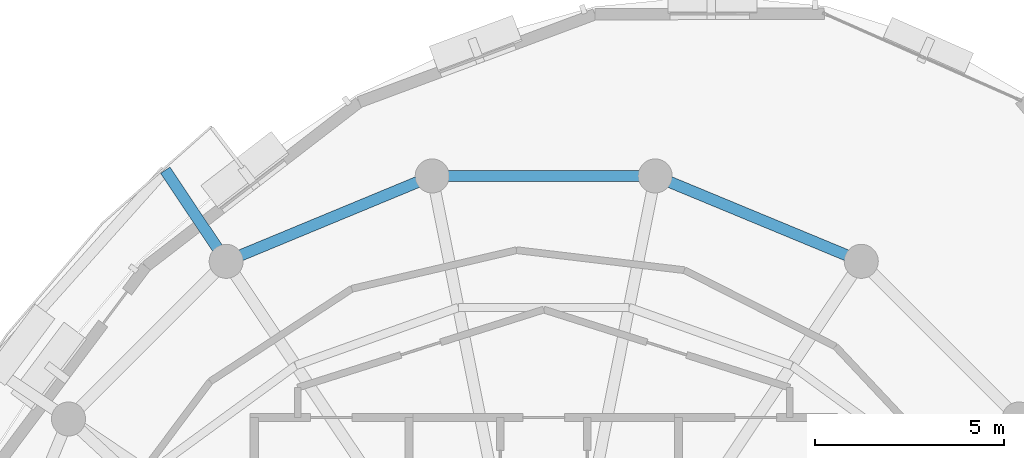
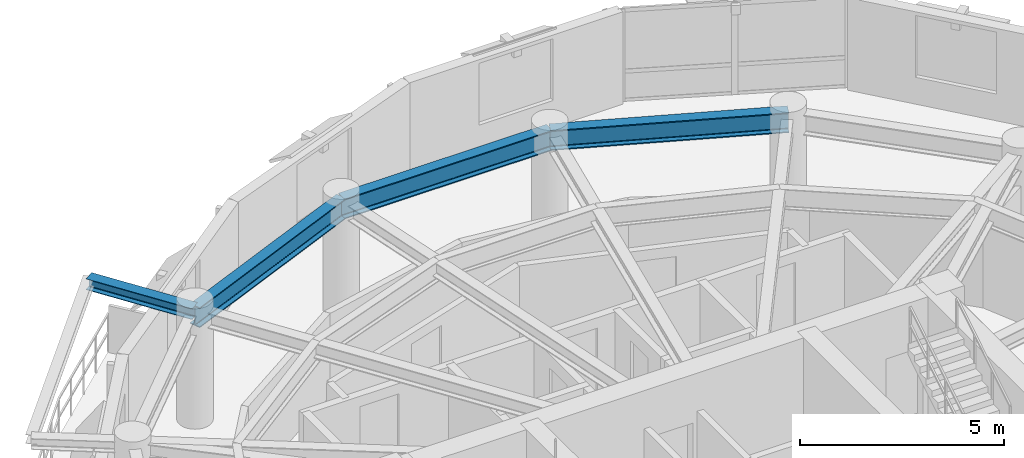
# One storey, part 4 of 11: 4 beams.
"""IFC4 building model written with IfcOpenShell, lengths in metres."""

from ifc_helpers import new_model, si_unit, direction, frame, origin, origin_2d, place, context, subcontext, project, spatial, i_section, extrude, material, material_profile, profile_set, type_object, element, save


model = new_model("IFC4")

# Units and contexts
model_context = context("Model", 3, precision=1e-05, world=origin(), true_north=direction((0.0, 1.0)))
body_context = subcontext(model_context, "Body", "Model", "MODEL_VIEW")
ifc_project = project(units=[si_unit("LENGTHUNIT", "METRE"), si_unit("AREAUNIT", "SQUARE_METRE"), si_unit("VOLUMEUNIT", "CUBIC_METRE"), si_unit("PLANEANGLEUNIT", "RADIAN"), si_unit("MASSUNIT", "GRAM", prefix="KILO"), si_unit("THERMODYNAMICTEMPERATUREUNIT", "KELVIN"), si_unit("POWERUNIT", "WATT")], contexts=[model_context])

# Site, building, storey
site_placement = place(None, origin())
site = spatial("IfcSite", under=ifc_project, at=site_placement, CompositionType="ELEMENT")
building_placement = place(site_placement, origin())
building = spatial("IfcBuilding", under=site, at=building_placement, Name="Ocrelia Relay Tower", CompositionType="ELEMENT")
storey_placement = place(building_placement, frame((0.0, 0.0, 252.0)))
storey = spatial("IfcBuildingStorey", under=building, at=storey_placement, Name="L62", CompositionType="ELEMENT", Elevation=252.0)

# Beams
ifc_material = material(Name="Steel S355", Category="steel")
ifc_material_profile_1 = material_profile(ifc_material, i_section(OverallWidth=0.300048828125, OverallDepth=0.330078125, WebThickness=0.009521484375, FlangeThickness=0.0166015625, FilletRadius=0.027099609375, at=origin_2d()), Name="HEA 340")
ifc_profile_set_1 = profile_set([ifc_material_profile_1], Name="Steel S355")
beam_type_1 = type_object("IfcBeamType", Name="BM-HEA340", PredefinedType="BEAM", material=ifc_profile_set_1)
beam_1_placement = place(storey_placement, frame((25.61083984375, 38.55517578125, 3.215087890625), z_axis=(-0.555555901033, 0.831479188451, 0.0), x_axis=(-0.831479188451, -0.555555901033, 0.0)))
element("IfcBeam", 1, at=beam_1_placement, inside=storey, type_object=beam_type_1, Name="L63 Balcony Cantilever Beam B1-1", PredefinedType="BEAM", context=body_context, shape_type="SweptSolid", body=[
    extrude(i_section(OverallWidth=0.300048828125, OverallDepth=0.330078125, WebThickness=0.009521484375, FlangeThickness=0.0166015625, FilletRadius=0.027099609375, at=origin_2d()), origin(), (0.0, 0.0, 1.0), 2.89599609375),
])
ifc_material_profile_2 = material_profile(ifc_material, i_section(OverallWidth=0.300048828125, OverallDepth=0.60009765625, WebThickness=0.015380859375, FlangeThickness=0.030029296875, FilletRadius=0.027099609375, at=origin_2d()), Name="HEB 600")
ifc_profile_set_2 = profile_set([ifc_material_profile_2], Name="Steel S355")
beam_type_2 = type_object("IfcBeamType", Name="BM-HEB600", PredefinedType="BEAM", material=ifc_profile_set_2)
beam_2_placement = place(storey_placement, frame((42.38916015625, 38.55517578125, 3.080078125), z_axis=(-0.923884009374, 0.382672624084, 0.0), x_axis=(-0.382672624084, -0.923884009374, 0.0)))
element("IfcBeam", 2, at=beam_2_placement, inside=storey, type_object=beam_type_2, Name="L62 Perimeter Spandrel Beam S03", PredefinedType="BEAM", context=body_context, shape_type="SweptSolid", body=[
    extrude(i_section(OverallWidth=0.300048828125, OverallDepth=0.60009765625, WebThickness=0.015380859375, FlangeThickness=0.030029296875, FilletRadius=0.027099609375, at=origin_2d()), origin(), (0.0, 0.0, 1.0), 5.891845703125),
])
beam_3_placement = place(storey_placement, frame((36.94580078125, 40.809814453125, 3.080078125), z_axis=(-1.0, 0.0, 0.0), x_axis=(0.0, -1.0, 0.0)))
element("IfcBeam", 3, at=beam_3_placement, inside=storey, type_object=beam_type_2, Name="L62 Perimeter Spandrel Beam S04", PredefinedType="BEAM", context=body_context, shape_type="SweptSolid", body=[
    extrude(i_section(OverallWidth=0.300048828125, OverallDepth=0.60009765625, WebThickness=0.015380859375, FlangeThickness=0.030029296875, FilletRadius=0.027099609375, at=origin_2d()), origin(), (0.0, 0.0, 1.0), 5.8916015625),
])
beam_4_placement = place(storey_placement, frame((31.05419921875, 40.809814453125, 3.080078125), z_axis=(-0.923884009374, -0.382672624084, 0.0), x_axis=(0.382672624084, -0.923884009374, 0.0)))
element("IfcBeam", 4, at=beam_4_placement, inside=storey, type_object=beam_type_2, Name="L62 Perimeter Spandrel Beam S05", PredefinedType="BEAM", context=body_context, shape_type="SweptSolid", body=[
    extrude(i_section(OverallWidth=0.300048828125, OverallDepth=0.60009765625, WebThickness=0.015380859375, FlangeThickness=0.030029296875, FilletRadius=0.027099609375, at=origin_2d()), origin(), (0.0, 0.0, 1.0), 5.891845703125),
])

save(model, "model.ifc")
